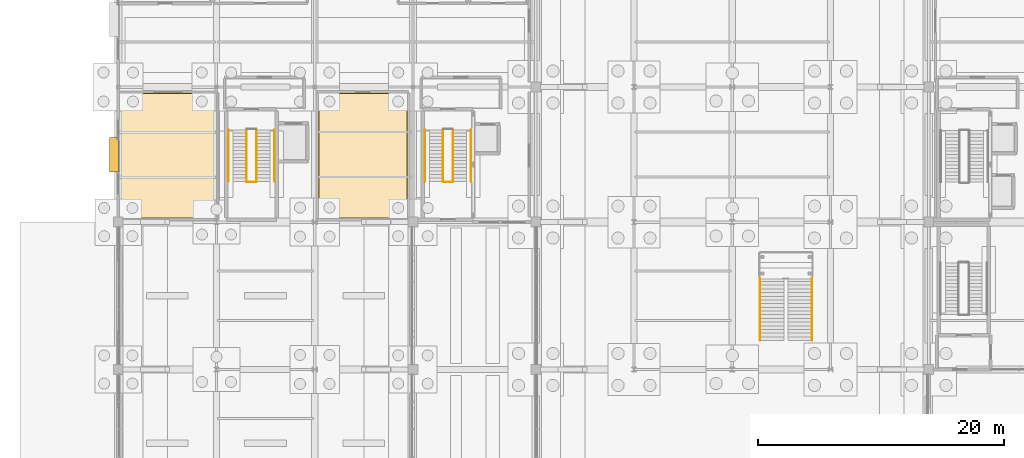
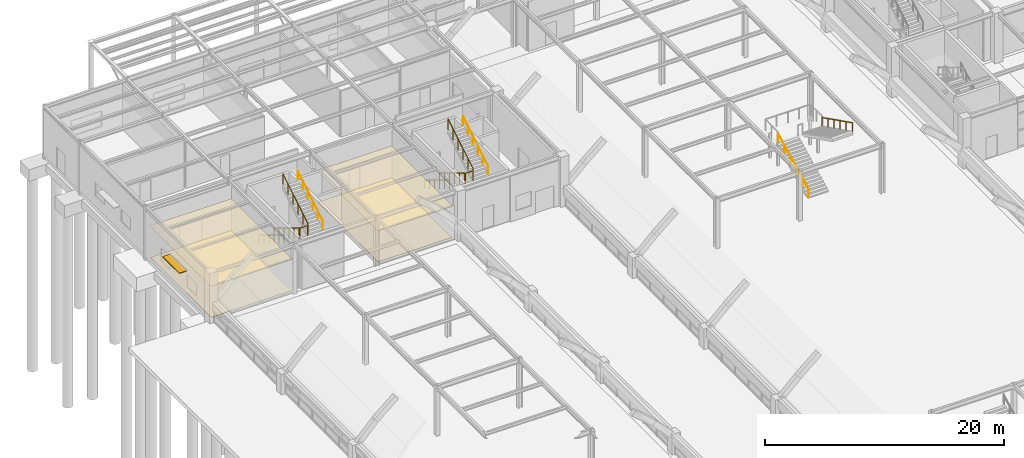
# One storey, part 121 of 129: 12 railings, 4 coverings, 1 shading device.
"""IFC4 building model written with IfcOpenShell, lengths in metres."""

from ifc_helpers import new_model, si_unit, direction, frame, origin, origin_2d, place, context, subcontext, project, spatial, polyline, rectangle, circle, outline, extrude, material, layer, layer_set, type_object, element, save


model = new_model("IFC4")

# Units and contexts
model_context = context("Model", 3, precision=1e-05, world=origin(), true_north=direction((0.0, 1.0)))
body_context = subcontext(model_context, "Body", "Model", "MODEL_VIEW")
ifc_project = project(units=[si_unit("LENGTHUNIT", "METRE"), si_unit("AREAUNIT", "SQUARE_METRE"), si_unit("VOLUMEUNIT", "CUBIC_METRE"), si_unit("PLANEANGLEUNIT", "RADIAN"), si_unit("MASSUNIT", "GRAM", prefix="KILO")], contexts=[model_context])

# Site, building, storey
site_placement = place(None, origin())
site = spatial("IfcSite", under=ifc_project, at=site_placement, CompositionType="ELEMENT")
building_placement = place(site_placement, origin())
building = spatial("IfcBuilding", under=site, at=building_placement, Name="Sitalva Quay Ferry Terminal", CompositionType="ELEMENT")
storey_placement = place(building_placement, origin())
storey = spatial("IfcBuildingStorey", under=building, at=storey_placement, Name="L01", CompositionType="ELEMENT", Elevation=0.0)

# Coverings
ifc_material_1 = material(Name="Perforated Marine Aluminium Acoustic Ceiling", Category="aluminium")
ifc_layer_1 = layer(ifc_material_1, 0.0400390625)
ifc_layer_set_1 = layer_set([ifc_layer_1], Name="Perforated Marine Aluminium Acoustic Ceiling")
covering_type_1 = type_object("IfcCoveringType", Name="Ceiling_AcousticBaffle_40", PredefinedType="CEILING", material=ifc_layer_set_1)
covering_1_placement = place(storey_placement, frame((0.0, 0.0, 3.2099609375)))
element("IfcCovering", 1, at=covering_1_placement, inside=storey, type_object=covering_type_1, Name="Arrivals Baggage Reclaim Hall ceiling", PredefinedType="CEILING", context=body_context, shape_type="SweptSolid", body=[
    extrude(outline(polyline([(8.1201171875, 78.27490234375), (16.02490234375, 78.27490234375), (16.02490234375, 88.52490234375), (8.1201171875, 88.52490234375), (8.1201171875, 78.27490234375)])), origin(), (0.0, 0.0, 1.0), 0.0400390625),
])
covering_2_placement = place(storey_placement, frame((0.0, 0.0, 3.2099609375)))
element("IfcCovering", 2, at=covering_2_placement, inside=storey, type_object=covering_type_1, Name="Customs & River Border Inspection ceiling", PredefinedType="CEILING", context=body_context, shape_type="SweptSolid", body=[
    extrude(outline(polyline([(24.297607421875, 78.297607421875), (31.552490234375, 78.297607421875), (31.552490234375, 88.50244140625), (24.297607421875, 88.50244140625), (24.297607421875, 78.297607421875)])), origin(), (0.0, 0.0, 1.0), 0.0400390625),
])
ifc_material_2 = material(Name="Polished River-Stone Terrazzo", Category="masonry")
ifc_layer_2 = layer(ifc_material_2, 0.030029296875)
ifc_layer_set_2 = layer_set([ifc_layer_2], Name="Polished River-Stone Terrazzo")
covering_type_2 = type_object("IfcCoveringType", Name="Finish_Terrazzo_30", PredefinedType="FLOORING", material=ifc_layer_set_2)
covering_3_placement = place(storey_placement, origin())
element("IfcCovering", 3, at=covering_3_placement, inside=storey, type_object=covering_type_2, Name="Arrivals Baggage Reclaim Hall floor finish", PredefinedType="FLOORING", context=body_context, shape_type="SweptSolid", body=[
    extrude(outline(polyline([(8.169921875, 78.324951171875), (15.97509765625, 78.324951171875), (15.97509765625, 88.47509765625), (8.169921875, 88.47509765625), (8.169921875, 78.324951171875)])), origin(), (0.0, 0.0, 1.0), 0.030029296875),
])
covering_4_placement = place(storey_placement, origin())
element("IfcCovering", 4, at=covering_4_placement, inside=storey, type_object=covering_type_2, Name="Customs & River Border Inspection floor finish", PredefinedType="FLOORING", context=body_context, shape_type="SweptSolid", body=[
    extrude(outline(polyline([(24.347412109375, 78.347412109375), (31.50244140625, 78.347412109375), (31.50244140625, 88.452392578125), (24.347412109375, 88.452392578125), (24.347412109375, 78.347412109375)])), origin(), (0.0, 0.0, 1.0), 0.030029296875),
])

# Railings
ifc_material_3 = material(Name="Galvanised Steel S275JR", Category="steel")
railing_type_1 = type_object("IfcRailingType", Name="Railing_Guard_1100", PredefinedType="GUARDRAIL", material=ifc_material_3)
railing_1_placement = place(storey_placement, frame((18.429931640625, 85.52001953125, 0.168701171875)))
element("IfcRailing", 5, at=railing_1_placement, inside=storey, type_object=railing_type_1, Name="L01 ST-03 stair guard 1", PredefinedType="GUARDRAIL", context=body_context, shape_type="SweptSolid", body=[
    extrude(circle(Radius=0.02392578125, at=origin_2d()), frame((0.0, 0.0, 1.076171875), z_axis=(0.0, -0.856476492594, 0.516186030065), x_axis=(1.0, 0.0, 0.0)), (0.0, 0.0, 1.0), 4.90380859375),
    extrude(circle(Radius=0.02099609375, at=origin_2d()), origin(), (0.0, 0.0, 1.0), 1.052001953125),
    extrude(circle(Radius=0.02099609375, at=origin_2d()), frame((0.0, -0.840087890625, 0.50634765625)), (0.0, 0.0, 1.0), 1.052001953125),
    extrude(circle(Radius=0.02099609375, at=origin_2d()), frame((0.0, -1.679931640625, 1.012451171875)), (0.0, 0.0, 1.0), 1.052001953125),
    extrude(circle(Radius=0.02099609375, at=origin_2d()), frame((0.0, -2.52001953125, 1.518798828125)), (0.0, 0.0, 1.0), 1.052001953125),
    extrude(circle(Radius=0.02099609375, at=origin_2d()), frame((0.0, -3.35986328125, 2.02490234375)), (0.0, 0.0, 1.0), 1.052001953125),
    extrude(circle(Radius=0.02099609375, at=origin_2d()), frame((0.0, -4.199951171875, 2.53125)), (0.0, 0.0, 1.0), 1.052001953125),
])
railing_2_placement = place(storey_placement, frame((18.47998046875, 81.27001953125, 2.699951171875)))
element("IfcRailing", 6, at=railing_2_placement, inside=storey, type_object=railing_type_1, Name="L01 ST-03 stair guard 2", PredefinedType="GUARDRAIL", context=body_context, shape_type="SweptSolid", body=[
    extrude(circle(Radius=0.02392578125, at=origin_2d()), frame((0.0, 0.0, 1.076171875), z_axis=(1.0, 0.0, 0.0), x_axis=(0.0, 1.0, 0.0)), (0.0, 0.0, 1.0), 0.739990234375),
    extrude(circle(Radius=0.02099609375, at=origin_2d()), origin(), (0.0, 0.0, 1.0), 1.052001953125),
    extrude(circle(Radius=0.02099609375, at=origin_2d()), frame((0.739990234375, 0.0, 0.0)), (0.0, 0.0, 1.0), 1.052001953125),
])
railing_3_placement = place(storey_placement, frame((19.27001953125, 81.320068359375, 2.86865234375)))
element("IfcRailing", 7, at=railing_3_placement, inside=storey, type_object=railing_type_1, Name="L01 ST-03 stair guard 3", PredefinedType="GUARDRAIL", context=body_context, shape_type="SweptSolid", body=[
    extrude(circle(Radius=0.02392578125, at=origin_2d()), frame((0.0, 0.0, 1.076171875), z_axis=(0.0, 0.856476492594, 0.516186030065), x_axis=(-1.0, 0.0, 0.0)), (0.0, 0.0, 1.0), 4.90380859375),
    extrude(circle(Radius=0.02099609375, at=origin_2d()), origin(), (0.0, 0.0, 1.0), 1.052001953125),
    extrude(circle(Radius=0.02099609375, at=origin_2d()), frame((0.0, 0.840087890625, 0.50634765625)), (0.0, 0.0, 1.0), 1.052001953125),
    extrude(circle(Radius=0.02099609375, at=origin_2d()), frame((0.0, 1.679931640625, 1.012451171875)), (0.0, 0.0, 1.0), 1.052001953125),
    extrude(circle(Radius=0.02099609375, at=origin_2d()), frame((0.0, 2.52001953125, 1.518798828125)), (0.0, 0.0, 1.0), 1.052001953125),
    extrude(circle(Radius=0.02099609375, at=origin_2d()), frame((0.0, 3.35986328125, 2.02490234375)), (0.0, 0.0, 1.0), 1.052001953125),
    extrude(circle(Radius=0.02099609375, at=origin_2d()), frame((0.0, 4.199951171875, 2.53125)), (0.0, 0.0, 1.0), 1.052001953125),
])
railing_4_placement = place(storey_placement, frame((34.429931640625, 85.52001953125, 0.168701171875)))
element("IfcRailing", 8, at=railing_4_placement, inside=storey, type_object=railing_type_1, Name="L01 ST-05 stair guard 1", PredefinedType="GUARDRAIL", context=body_context, shape_type="SweptSolid", body=[
    extrude(circle(Radius=0.02392578125, at=origin_2d()), frame((0.0, 0.0, 1.076171875), z_axis=(0.0, -0.856476492594, 0.516186030065), x_axis=(1.0, 0.0, 0.0)), (0.0, 0.0, 1.0), 4.90380859375),
    extrude(circle(Radius=0.02099609375, at=origin_2d()), origin(), (0.0, 0.0, 1.0), 1.052001953125),
    extrude(circle(Radius=0.02099609375, at=origin_2d()), frame((0.0, -0.840087890625, 0.50634765625)), (0.0, 0.0, 1.0), 1.052001953125),
    extrude(circle(Radius=0.02099609375, at=origin_2d()), frame((0.0, -1.679931640625, 1.012451171875)), (0.0, 0.0, 1.0), 1.052001953125),
    extrude(circle(Radius=0.02099609375, at=origin_2d()), frame((0.0, -2.52001953125, 1.518798828125)), (0.0, 0.0, 1.0), 1.052001953125),
    extrude(circle(Radius=0.02099609375, at=origin_2d()), frame((0.0, -3.35986328125, 2.02490234375)), (0.0, 0.0, 1.0), 1.052001953125),
    extrude(circle(Radius=0.02099609375, at=origin_2d()), frame((0.0, -4.199951171875, 2.53125)), (0.0, 0.0, 1.0), 1.052001953125),
])
railing_5_placement = place(storey_placement, frame((34.47998046875, 81.27001953125, 2.699951171875)))
element("IfcRailing", 9, at=railing_5_placement, inside=storey, type_object=railing_type_1, Name="L01 ST-05 stair guard 2", PredefinedType="GUARDRAIL", context=body_context, shape_type="SweptSolid", body=[
    extrude(circle(Radius=0.02392578125, at=origin_2d()), frame((0.0, 0.0, 1.076171875), z_axis=(1.0, 0.0, 0.0), x_axis=(0.0, 1.0, 0.0)), (0.0, 0.0, 1.0), 0.739990234375),
    extrude(circle(Radius=0.02099609375, at=origin_2d()), origin(), (0.0, 0.0, 1.0), 1.052001953125),
    extrude(circle(Radius=0.02099609375, at=origin_2d()), frame((0.739990234375, 0.0, 0.0)), (0.0, 0.0, 1.0), 1.052001953125),
])
railing_6_placement = place(storey_placement, frame((35.27001953125, 81.320068359375, 2.86865234375)))
element("IfcRailing", 10, at=railing_6_placement, inside=storey, type_object=railing_type_1, Name="L01 ST-05 stair guard 3", PredefinedType="GUARDRAIL", context=body_context, shape_type="SweptSolid", body=[
    extrude(circle(Radius=0.02392578125, at=origin_2d()), frame((0.0, 0.0, 1.076171875), z_axis=(0.0, 0.856476492594, 0.516186030065), x_axis=(-1.0, 0.0, 0.0)), (0.0, 0.0, 1.0), 4.90380859375),
    extrude(circle(Radius=0.02099609375, at=origin_2d()), origin(), (0.0, 0.0, 1.0), 1.052001953125),
    extrude(circle(Radius=0.02099609375, at=origin_2d()), frame((0.0, 0.840087890625, 0.50634765625)), (0.0, 0.0, 1.0), 1.052001953125),
    extrude(circle(Radius=0.02099609375, at=origin_2d()), frame((0.0, 1.679931640625, 1.012451171875)), (0.0, 0.0, 1.0), 1.052001953125),
    extrude(circle(Radius=0.02099609375, at=origin_2d()), frame((0.0, 2.52001953125, 1.518798828125)), (0.0, 0.0, 1.0), 1.052001953125),
    extrude(circle(Radius=0.02099609375, at=origin_2d()), frame((0.0, 3.35986328125, 2.02490234375)), (0.0, 0.0, 1.0), 1.052001953125),
    extrude(circle(Radius=0.02099609375, at=origin_2d()), frame((0.0, 4.199951171875, 2.53125)), (0.0, 0.0, 1.0), 1.052001953125),
])
ifc_material_4 = material(Name="Stainless Steel 316L", Category="steel")
railing_type_2 = type_object("IfcRailingType", Name="Railing_Handrail_900", PredefinedType="HANDRAIL", material=ifc_material_4)
railing_7_placement = place(storey_placement, frame((16.969970703125, 85.52001953125, 0.168701171875)))
element("IfcRailing", 11, at=railing_7_placement, inside=storey, type_object=railing_type_2, Name="L01 ST-03 stair handrail 1", PredefinedType="HANDRAIL", context=body_context, shape_type="SweptSolid", body=[
    extrude(circle(Radius=0.02392578125, at=origin_2d()), frame((0.0, 0.0, 0.8759765625), z_axis=(0.0, -0.856476492594, 0.516186030065), x_axis=(1.0, 0.0, 0.0)), (0.0, 0.0, 1.0), 4.90380859375),
    extrude(circle(Radius=0.02099609375, at=origin_2d()), origin(), (0.0, 0.0, 1.0), 0.851806640625),
    extrude(circle(Radius=0.02099609375, at=origin_2d()), frame((0.0, -0.840087890625, 0.50634765625)), (0.0, 0.0, 1.0), 0.851806640625),
    extrude(circle(Radius=0.02099609375, at=origin_2d()), frame((0.0, -1.679931640625, 1.012451171875)), (0.0, 0.0, 1.0), 0.851806640625),
    extrude(circle(Radius=0.02099609375, at=origin_2d()), frame((0.0, -2.52001953125, 1.518798828125)), (0.0, 0.0, 1.0), 0.851806640625),
    extrude(circle(Radius=0.02099609375, at=origin_2d()), frame((0.0, -3.35986328125, 2.02490234375)), (0.0, 0.0, 1.0), 0.851806640625),
    extrude(circle(Radius=0.02099609375, at=origin_2d()), frame((0.0, -4.199951171875, 2.53125)), (0.0, 0.0, 1.0), 0.851806640625),
])
railing_8_placement = place(storey_placement, frame((20.72998046875, 81.320068359375, 2.86865234375)))
element("IfcRailing", 12, at=railing_8_placement, inside=storey, type_object=railing_type_2, Name="L01 ST-03 stair handrail 2", PredefinedType="HANDRAIL", context=body_context, shape_type="SweptSolid", body=[
    extrude(circle(Radius=0.02392578125, at=origin_2d()), frame((0.0, 0.0, 0.8759765625), z_axis=(0.0, 0.856476492594, 0.516186030065), x_axis=(-1.0, 0.0, 0.0)), (0.0, 0.0, 1.0), 4.90380859375),
    extrude(circle(Radius=0.02099609375, at=origin_2d()), origin(), (0.0, 0.0, 1.0), 0.851806640625),
    extrude(circle(Radius=0.02099609375, at=origin_2d()), frame((0.0, 0.840087890625, 0.50634765625)), (0.0, 0.0, 1.0), 0.851806640625),
    extrude(circle(Radius=0.02099609375, at=origin_2d()), frame((0.0, 1.679931640625, 1.012451171875)), (0.0, 0.0, 1.0), 0.851806640625),
    extrude(circle(Radius=0.02099609375, at=origin_2d()), frame((0.0, 2.52001953125, 1.518798828125)), (0.0, 0.0, 1.0), 0.851806640625),
    extrude(circle(Radius=0.02099609375, at=origin_2d()), frame((0.0, 3.35986328125, 2.02490234375)), (0.0, 0.0, 1.0), 0.851806640625),
    extrude(circle(Radius=0.02099609375, at=origin_2d()), frame((0.0, 4.199951171875, 2.53125)), (0.0, 0.0, 1.0), 0.851806640625),
])
railing_9_placement = place(storey_placement, frame((32.969970703125, 85.52001953125, 0.168701171875)))
element("IfcRailing", 13, at=railing_9_placement, inside=storey, type_object=railing_type_2, Name="L01 ST-05 stair handrail 1", PredefinedType="HANDRAIL", context=body_context, shape_type="SweptSolid", body=[
    extrude(circle(Radius=0.02392578125, at=origin_2d()), frame((0.0, 0.0, 0.8759765625), z_axis=(0.0, -0.856476492594, 0.516186030065), x_axis=(1.0, 0.0, 0.0)), (0.0, 0.0, 1.0), 4.90380859375),
    extrude(circle(Radius=0.02099609375, at=origin_2d()), origin(), (0.0, 0.0, 1.0), 0.851806640625),
    extrude(circle(Radius=0.02099609375, at=origin_2d()), frame((0.0, -0.840087890625, 0.50634765625)), (0.0, 0.0, 1.0), 0.851806640625),
    extrude(circle(Radius=0.02099609375, at=origin_2d()), frame((0.0, -1.679931640625, 1.012451171875)), (0.0, 0.0, 1.0), 0.851806640625),
    extrude(circle(Radius=0.02099609375, at=origin_2d()), frame((0.0, -2.52001953125, 1.518798828125)), (0.0, 0.0, 1.0), 0.851806640625),
    extrude(circle(Radius=0.02099609375, at=origin_2d()), frame((0.0, -3.35986328125, 2.02490234375)), (0.0, 0.0, 1.0), 0.851806640625),
    extrude(circle(Radius=0.02099609375, at=origin_2d()), frame((0.0, -4.199951171875, 2.53125)), (0.0, 0.0, 1.0), 0.851806640625),
])
railing_10_placement = place(storey_placement, frame((36.72998046875, 81.320068359375, 2.86865234375)))
element("IfcRailing", 14, at=railing_10_placement, inside=storey, type_object=railing_type_2, Name="L01 ST-05 stair handrail 2", PredefinedType="HANDRAIL", context=body_context, shape_type="SweptSolid", body=[
    extrude(circle(Radius=0.02392578125, at=origin_2d()), frame((0.0, 0.0, 0.8759765625), z_axis=(0.0, 0.856476492594, 0.516186030065), x_axis=(-1.0, 0.0, 0.0)), (0.0, 0.0, 1.0), 4.90380859375),
    extrude(circle(Radius=0.02099609375, at=origin_2d()), origin(), (0.0, 0.0, 1.0), 0.851806640625),
    extrude(circle(Radius=0.02099609375, at=origin_2d()), frame((0.0, 0.840087890625, 0.50634765625)), (0.0, 0.0, 1.0), 0.851806640625),
    extrude(circle(Radius=0.02099609375, at=origin_2d()), frame((0.0, 1.679931640625, 1.012451171875)), (0.0, 0.0, 1.0), 0.851806640625),
    extrude(circle(Radius=0.02099609375, at=origin_2d()), frame((0.0, 2.52001953125, 1.518798828125)), (0.0, 0.0, 1.0), 0.851806640625),
    extrude(circle(Radius=0.02099609375, at=origin_2d()), frame((0.0, 3.35986328125, 2.02490234375)), (0.0, 0.0, 1.0), 0.851806640625),
    extrude(circle(Radius=0.02099609375, at=origin_2d()), frame((0.0, 4.199951171875, 2.53125)), (0.0, 0.0, 1.0), 0.851806640625),
])
railing_11_placement = place(storey_placement, frame((60.260009765625, 68.360107421875, 0.14990234375)))
element("IfcRailing", 15, at=railing_11_placement, inside=storey, type_object=railing_type_2, Name="ST-12-HR1", PredefinedType="HANDRAIL", context=body_context, shape_type="SweptSolid", body=[
    extrude(circle(Radius=0.02392578125, at=origin_2d()), frame((0.0, 0.0, 0.8759765625), z_axis=(0.0, 0.894418627299, 0.447230722492), x_axis=(-1.0, 0.0, 0.0)), (0.0, 0.0, 1.0), 5.701904296875),
    extrude(circle(Radius=0.02099609375, at=origin_2d()), origin(), (0.0, 0.0, 1.0), 0.851806640625),
    extrude(circle(Radius=0.02099609375, at=origin_2d()), frame((0.0, 1.02001953125, 0.510009765625)), (0.0, 0.0, 1.0), 0.851806640625),
    extrude(circle(Radius=0.02099609375, at=origin_2d()), frame((0.0, 2.0400390625, 1.02001953125)), (0.0, 0.0, 1.0), 0.851806640625),
    extrude(circle(Radius=0.02099609375, at=origin_2d()), frame((0.0, 3.059814453125, 1.530029296875)), (0.0, 0.0, 1.0), 0.851806640625),
    extrude(circle(Radius=0.02099609375, at=origin_2d()), frame((0.0, 4.079833984375, 2.0400390625)), (0.0, 0.0, 1.0), 0.851806640625),
    extrude(circle(Radius=0.02099609375, at=origin_2d()), frame((0.0, 5.099853515625, 2.550048828125)), (0.0, 0.0, 1.0), 0.851806640625),
])
railing_12_placement = place(storey_placement, frame((64.489990234375, 73.4599609375, 2.85009765625)))
element("IfcRailing", 16, at=railing_12_placement, inside=storey, type_object=railing_type_2, Name="ST-12-HR2", PredefinedType="HANDRAIL", context=body_context, shape_type="SweptSolid", body=[
    extrude(circle(Radius=0.02392578125, at=origin_2d()), frame((0.0, 0.0, 0.8759765625), z_axis=(0.0, -0.894435754537, 0.447196468016), x_axis=(1.0, 0.0, 0.0)), (0.0, 0.0, 1.0), 5.70166015625),
    extrude(circle(Radius=0.02099609375, at=origin_2d()), origin(), (0.0, 0.0, 1.0), 0.851806640625),
    extrude(circle(Radius=0.02099609375, at=origin_2d()), frame((0.0, -1.02001953125, 0.510009765625)), (0.0, 0.0, 1.0), 0.851806640625),
    extrude(circle(Radius=0.02099609375, at=origin_2d()), frame((0.0, -2.0400390625, 1.02001953125)), (0.0, 0.0, 1.0), 0.851806640625),
    extrude(circle(Radius=0.02099609375, at=origin_2d()), frame((0.0, -3.059814453125, 1.52978515625)), (0.0, 0.0, 1.0), 0.851806640625),
    extrude(circle(Radius=0.02099609375, at=origin_2d()), frame((0.0, -4.079833984375, 2.039794921875)), (0.0, 0.0, 1.0), 0.851806640625),
    extrude(circle(Radius=0.02099609375, at=origin_2d()), frame((0.0, -5.099853515625, 2.5498046875)), (0.0, 0.0, 1.0), 0.851806640625),
])

# Shading device
ifc_material_5 = material(Name="Anodised Marine Aluminium 6063-T6", Category="aluminium")
shading_device_type = type_object("IfcShadingDeviceType", Name="Shade_HorizontalLouvre_750", PredefinedType="USERDEFINED", material=ifc_material_5)
shading_device_placement = place(storey_placement, frame((7.655029296875, 83.5, 2.5126953125), z_axis=(0.0, 0.0, 1.0), x_axis=(1.0, 0.0, 0.0)))
element("IfcShadingDevice", 17, at=shading_device_placement, inside=storey, type_object=shading_device_type, Name="Monsoon sunshade canopy BS-023", ObjectType="SUNSHADE", PredefinedType="USERDEFINED", context=body_context, shape_type="SweptSolid", body=[
    extrude(rectangle(XDim=0.75, YDim=2.800048828125, at=origin_2d()), origin(), (0.0, 0.0, 1.0), 0.074951171875),
])

save(model, "model.ifc")
